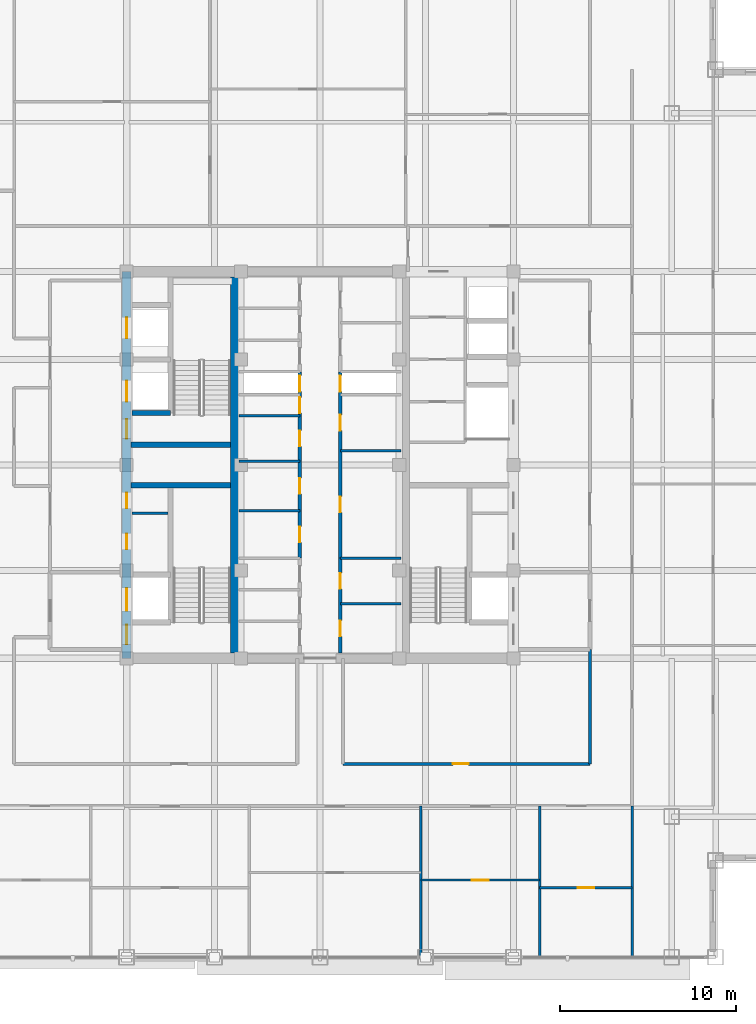
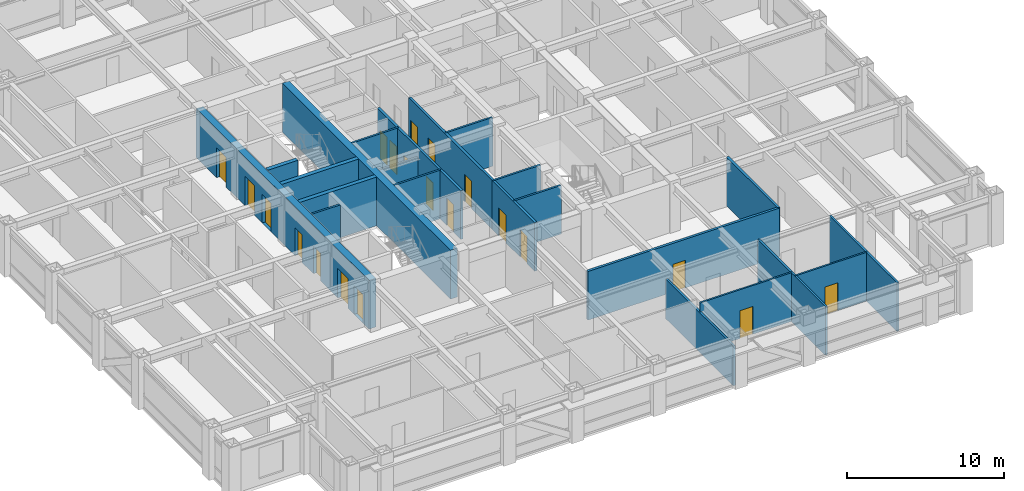
# One storey, part 21 of 29: 22 walls, 20 doors, 20 openings.
"""IFC4 building model written with IfcOpenShell, lengths in metres."""

from ifc_helpers import new_model, si_unit, direction, frame, frame_2d, origin, place, context, subcontext, project, spatial, rectangle, extrude, source, transform, mapped, material, layer, layer_set, type_object, element, fill, save


model = new_model("IFC4")

# Units and contexts
model_context = context("Model", 3, precision=1e-05, world=origin(), true_north=direction((0.0, 1.0)))
body_context = subcontext(model_context, "Body", "Model", "MODEL_VIEW")
ifc_project = project(units=[si_unit("LENGTHUNIT", "METRE"), si_unit("AREAUNIT", "SQUARE_METRE"), si_unit("VOLUMEUNIT", "CUBIC_METRE"), si_unit("PLANEANGLEUNIT", "RADIAN"), si_unit("MASSUNIT", "GRAM", prefix="KILO")], contexts=[model_context])

# Site, building, storey
site_placement = place(None, origin())
site = spatial("IfcSite", under=ifc_project, at=site_placement, CompositionType="ELEMENT")
building_placement = place(site_placement, origin())
building = spatial("IfcBuilding", under=site, at=building_placement, Name="Khorayat Bourse Tower", CompositionType="ELEMENT")
storey_placement = place(building_placement, frame((0.0, 0.0, 277.5)))
storey = spatial("IfcBuildingStorey", under=building, at=storey_placement, Name="L65", CompositionType="ELEMENT", Elevation=277.5)

# Wall, openings, doors
ifc_material_1 = material(Name="Concrete C52/65", Category="concrete")
ifc_layer_1 = layer(ifc_material_1, 0.5)
ifc_layer_set_1 = layer_set([ifc_layer_1], Name="Concrete C52/65")
wall_type_1 = type_object("IfcWallType", Name="WAL-CORE-500", PredefinedType="SHEAR", material=ifc_layer_set_1)
shared_shape_1 = source(origin(), body_context, "Body", "SweptSolid", [
    extrude(rectangle(XDim=22.0, YDim=0.5, at=frame_2d((11.0, 0.0))), origin(), (0.0, 0.0, 1.0), 3.780029296875),
])
wall_1_placement = place(storey_placement, frame((-11.0, -11.0, 0.0), z_axis=(0.0, 0.0, 1.0), x_axis=(0.0, 1.0, 0.0)))
wall_1 = element("IfcWall", 1, at=wall_1_placement, inside=storey, type_object=wall_type_1, Name="L65 Core Shear Wall CORE-W", PredefinedType="SHEAR", context=body_context, shape_type="MappedRepresentation", body=[
    mapped(shared_shape_1, transform((0.0, 0.0, 0.0), scale=1.0)),
])
shared_shape_2 = source(origin(), body_context, "Body", "SweptSolid", [
    extrude(rectangle(XDim=1.10009765625, YDim=2.199951171875, at=frame_2d((0.550048828125, 1.10009765625))), frame((0.0, 0.260009765625, 0.0), z_axis=(0.0, -1.0, 0.0), x_axis=(1.0, 0.0, 0.0)), (0.0, 0.0, 1.0), 0.52001953125),
])
opening_1_placement = place(wall_1_placement, frame((0.800048828125, 0.0, 0.0)))
opening_1 = element("IfcOpeningElement", 2, at=opening_1_placement, cuts=wall_1, Name="Opening DI-01", PredefinedType="OPENING", context=body_context, shape_type="MappedRepresentation", body=[
    mapped(shared_shape_2, transform((0.0, 0.0, 0.0), scale=1.0)),
])
opening_2_placement = place(wall_1_placement, frame((12.5, 0.0, 0.0)))
opening_2 = element("IfcOpeningElement", 3, at=opening_2_placement, cuts=wall_1, Name="Opening DI-01", PredefinedType="OPENING", context=body_context, shape_type="MappedRepresentation", body=[
    mapped(shared_shape_2, transform((0.0, 0.0, 0.0), scale=1.0)),
])
shared_shape_3 = source(origin(), body_context, "Body", "SweptSolid", [
    extrude(rectangle(XDim=0.89990234375, YDim=2.14990234375, at=frame_2d((0.449951171875, 1.074951171875))), frame((0.0, 0.260009765625, 0.0), z_axis=(0.0, -1.0, 0.0), x_axis=(1.0, 0.0, 0.0)), (0.0, 0.0, 1.0), 0.52001953125),
])
opening_3_placement = place(wall_1_placement, frame((6.199951171875, 0.0, 0.0)))
opening_3 = element("IfcOpeningElement", 4, at=opening_3_placement, cuts=wall_1, Name="Opening DI-06", PredefinedType="OPENING", context=body_context, shape_type="MappedRepresentation", body=[
    mapped(shared_shape_3, transform((0.0, 0.0, 0.0), scale=1.0)),
])
opening_4_placement = place(wall_1_placement, frame((8.52490234375, 0.0, 0.0)))
opening_4 = element("IfcOpeningElement", 5, at=opening_4_placement, cuts=wall_1, Name="Opening DI-06", PredefinedType="OPENING", context=body_context, shape_type="MappedRepresentation", body=[
    mapped(shared_shape_3, transform((0.0, 0.0, 0.0), scale=1.0)),
])
shared_shape_4 = source(origin(), body_context, "Body", "SweptSolid", [
    extrude(rectangle(XDim=1.199951171875, YDim=2.300048828125, at=frame_2d((0.60009765625, 1.14990234375))), frame((0.0, 0.260009765625, 0.0), z_axis=(0.0, -1.0, 0.0), x_axis=(1.0, 0.0, 0.0)), (0.0, 0.0, 1.0), 0.52001953125),
])
opening_5_placement = place(wall_1_placement, frame((14.60009765625, 0.0, 0.0)))
opening_5 = element("IfcOpeningElement", 6, at=opening_5_placement, cuts=wall_1, Name="Opening LD-01", PredefinedType="OPENING", context=body_context, shape_type="MappedRepresentation", body=[
    mapped(shared_shape_4, transform((0.0, 0.0, 0.0), scale=1.0)),
])
opening_6_placement = place(wall_1_placement, frame((18.199951171875, 0.0, 0.0)))
opening_6 = element("IfcOpeningElement", 7, at=opening_6_placement, cuts=wall_1, Name="Opening LD-01", PredefinedType="OPENING", context=body_context, shape_type="MappedRepresentation", body=[
    mapped(shared_shape_4, transform((0.0, 0.0, 0.0), scale=1.0)),
])
shared_shape_5 = source(origin(), body_context, "Body", "SweptSolid", [
    extrude(rectangle(XDim=1.300048828125, YDim=2.300048828125, at=frame_2d((0.64990234375, 1.14990234375))), frame((0.0, 0.260009765625, 0.0), z_axis=(0.0, -1.0, 0.0), x_axis=(1.0, 0.0, 0.0)), (0.0, 0.0, 1.0), 0.52001953125),
])
opening_7_placement = place(wall_1_placement, frame((2.699951171875, 0.0, 0.0)))
opening_7 = element("IfcOpeningElement", 8, at=opening_7_placement, cuts=wall_1, Name="Opening LD-02", PredefinedType="OPENING", context=body_context, shape_type="MappedRepresentation", body=[
    mapped(shared_shape_5, transform((0.0, 0.0, 0.0), scale=1.0)),
])
ifc_material_2 = material(Name="Fire-rated steel acoustic leaf", Category="steel")
door_type_1 = type_object("IfcDoorType", Name="DR-INT-STAIR-1100", OperationType="NOTDEFINED", PredefinedType="DOOR", material=ifc_material_2)
shared_shape_6 = source(origin(), body_context, "Body", "SweptSolid", [
    extrude(rectangle(XDim=1.10009765625, YDim=2.199951171875, at=frame_2d((0.550048828125, 1.10009765625))), frame((0.0, 0.02490234375, 0.0), z_axis=(0.0, -1.0, 0.0), x_axis=(1.0, 0.0, 0.0)), (0.0, 0.0, 1.0), 0.050048828125),
])
door_1_placement = place(opening_1_placement, origin())
door_1 = element("IfcDoor", 9, at=door_1_placement, inside=storey, type_object=door_type_1, Name="L65 Exit Stair 1 Door", OperationType="SINGLE_SWING_RIGHT", OverallHeight=2.199951171875, OverallWidth=1.10009765625, PredefinedType="DOOR", context=body_context, shape_type="MappedRepresentation", body=[
    mapped(shared_shape_6, transform((0.0, 0.0, 0.0), scale=1.0)),
])
fill(opening_1, door_1)
door_2_placement = place(opening_2_placement, origin())
door_2 = element("IfcDoor", 10, at=door_2_placement, inside=storey, type_object=door_type_1, Name="L65 Exit Stair 2 Door", OperationType="SINGLE_SWING_RIGHT", OverallHeight=2.199951171875, OverallWidth=1.10009765625, PredefinedType="DOOR", context=body_context, shape_type="MappedRepresentation", body=[
    mapped(shared_shape_6, transform((0.0, 0.0, 0.0), scale=1.0)),
])
fill(opening_2, door_2)
ifc_material_3 = material(Name="Moisture-resistant laminate washroom door")
door_type_2 = type_object("IfcDoorType", Name="DR-INT-WC-900", OperationType="NOTDEFINED", PredefinedType="DOOR", material=ifc_material_3)
shared_shape_7 = source(origin(), body_context, "Body", "SweptSolid", [
    extrude(rectangle(XDim=0.89990234375, YDim=2.14990234375, at=frame_2d((0.449951171875, 1.074951171875))), frame((0.0, 0.02490234375, 0.0), z_axis=(0.0, -1.0, 0.0), x_axis=(1.0, 0.0, 0.0)), (0.0, 0.0, 1.0), 0.050048828125),
])
door_3_placement = place(opening_3_placement, origin())
door_3 = element("IfcDoor", 11, at=door_3_placement, inside=storey, type_object=door_type_2, Name="L65 Switch Closet Door", OperationType="SINGLE_SWING_RIGHT", OverallHeight=2.14990234375, OverallWidth=0.89990234375, PredefinedType="DOOR", context=body_context, shape_type="MappedRepresentation", body=[
    mapped(shared_shape_7, transform((0.0, 0.0, 0.0), scale=1.0)),
])
fill(opening_3, door_3)
door_4_placement = place(opening_4_placement, origin())
door_4 = element("IfcDoor", 12, at=door_4_placement, inside=storey, type_object=door_type_2, Name="L65 Janitor Store Door", OperationType="SINGLE_SWING_LEFT", OverallHeight=2.14990234375, OverallWidth=0.89990234375, PredefinedType="DOOR", context=body_context, shape_type="MappedRepresentation", body=[
    mapped(shared_shape_7, transform((0.0, 0.0, 0.0), scale=1.0)),
])
fill(opening_4, door_4)
ifc_material_4 = material(Name="Brushed bronze stainless-steel sliding door", Category="steel")
door_type_3 = type_object("IfcDoorType", Name="DR-LIFT-PASS-1200", OperationType="NOTDEFINED", PredefinedType="DOOR", material=ifc_material_4)
shared_shape_8 = source(origin(), body_context, "Body", "SweptSolid", [
    extrude(rectangle(XDim=1.199951171875, YDim=2.300048828125, at=frame_2d((0.60009765625, 1.14990234375))), frame((0.0, 0.02490234375, 0.0), z_axis=(0.0, -1.0, 0.0), x_axis=(1.0, 0.0, 0.0)), (0.0, 0.0, 1.0), 0.050048828125),
])
door_5_placement = place(opening_5_placement, origin())
door_5 = element("IfcDoor", 13, at=door_5_placement, inside=storey, type_object=door_type_3, Name="L65 Lift PL-H1 Sliding Landing Door", OperationType="SLIDING_TO_LEFT", OverallHeight=2.300048828125, OverallWidth=1.199951171875, PredefinedType="DOOR", context=body_context, shape_type="MappedRepresentation", body=[
    mapped(shared_shape_8, transform((0.0, 0.0, 0.0), scale=1.0)),
])
fill(opening_5, door_5)
door_6_placement = place(opening_6_placement, origin())
door_6 = element("IfcDoor", 14, at=door_6_placement, inside=storey, type_object=door_type_3, Name="L65 Lift PL-H2 Sliding Landing Door", OperationType="SLIDING_TO_LEFT", OverallHeight=2.300048828125, OverallWidth=1.199951171875, PredefinedType="DOOR", context=body_context, shape_type="MappedRepresentation", body=[
    mapped(shared_shape_8, transform((0.0, 0.0, 0.0), scale=1.0)),
])
fill(opening_6, door_6)
ifc_material_5 = material(Name="Fire-rated stainless-steel sliding landing door", Category="steel")
door_type_4 = type_object("IfcDoorType", Name="DR-LIFT-FF-1300", OperationType="NOTDEFINED", PredefinedType="DOOR", material=ifc_material_5)
shared_shape_9 = source(origin(), body_context, "Body", "SweptSolid", [
    extrude(rectangle(XDim=1.300048828125, YDim=2.300048828125, at=frame_2d((0.64990234375, 1.14990234375))), frame((0.0, 0.02490234375, 0.0), z_axis=(0.0, -1.0, 0.0), x_axis=(1.0, 0.0, 0.0)), (0.0, 0.0, 1.0), 0.050048828125),
])
door_7_placement = place(opening_7_placement, origin())
door_7 = element("IfcDoor", 15, at=door_7_placement, inside=storey, type_object=door_type_4, Name="L65 Lift FFL-01 Sliding Landing Door", OperationType="SLIDING_TO_LEFT", OverallHeight=2.300048828125, OverallWidth=1.300048828125, PredefinedType="DOOR", context=body_context, shape_type="MappedRepresentation", body=[
    mapped(shared_shape_9, transform((0.0, 0.0, 0.0), scale=1.0)),
])
fill(opening_7, door_7)

# Walls
shared_shape_10 = source(origin(), body_context, "Body", "SweptSolid", [
    extrude(rectangle(XDim=21.39990234375, YDim=0.5, at=frame_2d((10.699951171875, 0.0))), origin(), (0.0, 0.0, 1.0), 3.780029296875),
])
wall_2_placement = place(storey_placement, frame((-4.85009765625, -10.699951171875, 0.0), z_axis=(0.0, 0.0, 1.0), x_axis=(0.0, 1.0, 0.0)))
element("IfcWall", 16, at=wall_2_placement, inside=storey, type_object=wall_type_1, Name="L65 Core Shear Wall PIER-W", PredefinedType="SHEAR", context=body_context, shape_type="MappedRepresentation", body=[
    mapped(shared_shape_10, transform((0.0, 0.0, 0.0), scale=1.0)),
])
ifc_material_6 = material(Name="Concrete C50/60", Category="concrete")
ifc_layer_2 = layer(ifc_material_6, 0.300048828125)
ifc_layer_set_2 = layer_set([ifc_layer_2], Name="Concrete C50/60")
wall_type_2 = type_object("IfcWallType", Name="WAL-SHAFT-300", PredefinedType="SHEAR", material=ifc_layer_set_2)
shared_shape_11 = source(origin(), body_context, "Body", "SweptSolid", [
    extrude(rectangle(XDim=5.64990234375, YDim=0.300048828125, at=frame_2d((2.824951171875, 0.0))), origin(), (0.0, 0.0, 1.0), 3.780029296875),
])
for number, where, z_axis, x_axis, name in (
    (17, (-10.75, -1.14990234375, 0.0), (0.0, 0.0, 1.0), (1.0, 0.0, 0.0), "L65 Core Shear Wall ST1-DIV"),
    (18, (-10.75, 1.14990234375, 0.0), (0.0, 0.0, 1.0), (1.0, 0.0, 0.0), "L65 Core Shear Wall ST2-DIV"),
):
    element("IfcWall", number, at=place(storey_placement, frame(where, z_axis=z_axis, x_axis=x_axis)), inside=storey, type_object=wall_type_2, Name=name, PredefinedType="SHEAR", context=body_context, shape_type="MappedRepresentation", body=[
        mapped(shared_shape_11, transform((0.0, 0.0, 0.0), scale=1.0)),
    ])
ifc_material_7 = material(Name="Moisture-resistant masonry partition", Category="masonry")
ifc_layer_3 = layer(ifc_material_7, 0.139892578125)
ifc_layer_set_3 = layer_set([ifc_layer_3], Name="Moisture-resistant masonry partition")
wall_type_3 = type_object("IfcWallType", Name="WAL-PART-WET-140", PredefinedType="PARTITIONING", material=ifc_layer_set_3)
shared_shape_12 = source(origin(), body_context, "Body", "SweptSolid", [
    extrude(rectangle(XDim=3.4501953125, YDim=0.139892578125, at=frame_2d((1.72509765625, 0.0))), origin(), (0.0, 0.0, 1.0), 3.0849609375),
])
wall_3_placement = place(storey_placement, frame((-4.60009765625, 0.199951171875, 0.0), z_axis=(0.0, 0.0, 1.0), x_axis=(1.0, 0.0, 0.0)))
element("IfcWall", 19, at=wall_3_placement, inside=storey, type_object=wall_type_3, Name="L65 Partition WAL-L65-CMW-D2", PredefinedType="PARTITIONING", context=body_context, shape_type="MappedRepresentation", body=[
    mapped(shared_shape_12, transform((0.0, 0.0, 0.0), scale=1.0)),
])
shared_shape_13 = source(origin(), body_context, "Body", "SweptSolid", [
    extrude(rectangle(XDim=2.199951171875, YDim=0.300048828125, at=frame_2d((1.10009765625, 0.0))), origin(), (0.0, 0.0, 1.0), 3.780029296875),
])
wall_4_placement = place(storey_placement, frame((-10.699951171875, 2.949951171875, 0.0), z_axis=(0.0, 0.0, 1.0), x_axis=(1.0, 0.0, 0.0)))
element("IfcWall", 20, at=wall_4_placement, inside=storey, type_object=wall_type_2, Name="L65 Partition WAL-L65-WPIER-H1S", PredefinedType="SHEAR", context=body_context, shape_type="MappedRepresentation", body=[
    mapped(shared_shape_13, transform((0.0, 0.0, 0.0), scale=1.0)),
])
ifc_material_8 = material(Name="Gypsum plasterboard twin-frame partition")
ifc_layer_4 = layer(ifc_material_8, 0.14990234375)
ifc_layer_set_4 = layer_set([ifc_layer_4], Name="Gypsum plasterboard twin-frame partition")
wall_type_4 = type_object("IfcWallType", Name="WAL-PART-SUITE-150", PredefinedType="PARTITIONING", material=ifc_layer_set_4)
shared_shape_14 = source(origin(), body_context, "Body", "SweptSolid", [
    extrude(rectangle(XDim=2.050048828125, YDim=0.14990234375, at=frame_2d((1.02490234375, 0.0))), origin(), (0.0, 0.0, 1.0), 3.780029296875),
])
wall_5_placement = place(storey_placement, frame((-10.699951171875, -2.75, 0.0), z_axis=(0.0, 0.0, 1.0), x_axis=(1.0, 0.0, 0.0)))
element("IfcWall", 21, at=wall_5_placement, inside=storey, type_object=wall_type_4, Name="L65 Partition WAL-L65-WSRV-D1", PredefinedType="PARTITIONING", context=body_context, shape_type="MappedRepresentation", body=[
    mapped(shared_shape_14, transform((0.0, 0.0, 0.0), scale=1.0)),
])
shared_shape_15 = source(origin(), body_context, "Body", "SweptSolid", [
    extrude(rectangle(XDim=3.4501953125, YDim=0.14990234375, at=frame_2d((1.72509765625, 0.0))), origin(), (0.0, 0.0, 1.0), 3.780029296875),
])
wall_6_placement = place(storey_placement, frame((1.14990234375, -5.300048828125, 0.0), z_axis=(0.0, 0.0, 1.0), x_axis=(1.0, 0.0, 0.0)))
element("IfcWall", 22, at=wall_6_placement, inside=storey, type_object=wall_type_4, Name="L65 Partition WAL-L65-FB1-NE", PredefinedType="PARTITIONING", context=body_context, shape_type="MappedRepresentation", body=[
    mapped(shared_shape_15, transform((0.0, 0.0, 0.0), scale=1.0)),
])

# Wall, openings, doors
ifc_material_9 = material(Name="Gypsum plasterboard acoustic stud wall")
ifc_layer_5 = layer(ifc_material_9, 0.179931640625)
ifc_layer_set_5 = layer_set([ifc_layer_5], Name="Gypsum plasterboard acoustic stud wall")
wall_type_5 = type_object("IfcWallType", Name="WAL-PART-CORR-180", PredefinedType="PARTITIONING", material=ifc_layer_set_5)
shared_shape_16 = source(origin(), body_context, "Body", "SweptSolid", [
    extrude(rectangle(XDim=5.39990234375, YDim=0.179931640625, at=frame_2d((2.699951171875, 0.0))), origin(), (0.0, 0.0, 1.0), 3.780029296875),
])
wall_7_placement = place(storey_placement, frame((1.14990234375, -10.699951171875, 0.0), z_axis=(0.0, 0.0, 1.0), x_axis=(0.0, 1.0, 0.0)))
wall_7 = element("IfcWall", 23, at=wall_7_placement, inside=storey, type_object=wall_type_5, Name="L65 Partition WAL-L65-FB1E-L", PredefinedType="PARTITIONING", context=body_context, shape_type="MappedRepresentation", body=[
    mapped(shared_shape_16, transform((0.0, 0.0, 0.0), scale=1.0)),
])
shared_shape_17 = source(origin(), body_context, "Body", "SweptSolid", [
    extrude(rectangle(XDim=0.89990234375, YDim=2.14990234375, at=frame_2d((0.449951171875, 1.074951171875))), frame((0.0, 0.099853515625, 0.0), z_axis=(0.0, -1.0, 0.0), x_axis=(1.0, 0.0, 0.0)), (0.0, 0.0, 1.0), 0.199951171875),
])
opening_8_placement = place(wall_7_placement, frame((0.949951171875, 0.0, 0.0)))
opening_8 = element("IfcOpeningElement", 24, at=opening_8_placement, cuts=wall_7, Name="Opening DI-06", PredefinedType="OPENING", context=body_context, shape_type="MappedRepresentation", body=[
    mapped(shared_shape_17, transform((0.0, 0.0, 0.0), scale=1.0)),
])
opening_9_placement = place(wall_7_placement, frame((3.64990234375, 0.0, 0.0)))
opening_9 = element("IfcOpeningElement", 25, at=opening_9_placement, cuts=wall_7, Name="Opening DI-06", PredefinedType="OPENING", context=body_context, shape_type="MappedRepresentation", body=[
    mapped(shared_shape_17, transform((0.0, 0.0, 0.0), scale=1.0)),
])
door_8_placement = place(opening_8_placement, origin())
door_8 = element("IfcDoor", 26, at=door_8_placement, inside=storey, type_object=door_type_2, Name="L65 UPS Switch Plant Room Door", OperationType="SINGLE_SWING_RIGHT", OverallHeight=2.14990234375, OverallWidth=0.89990234375, PredefinedType="DOOR", context=body_context, shape_type="MappedRepresentation", body=[
    mapped(shared_shape_7, transform((0.0, 0.0, 0.0), scale=1.0)),
])
fill(opening_8, door_8)
door_9_placement = place(opening_9_placement, origin())
door_9 = element("IfcDoor", 27, at=door_9_placement, inside=storey, type_object=door_type_2, Name="L65 Reprographics Store Door", OperationType="SINGLE_SWING_LEFT", OverallHeight=2.14990234375, OverallWidth=0.89990234375, PredefinedType="DOOR", context=body_context, shape_type="MappedRepresentation", body=[
    mapped(shared_shape_7, transform((0.0, 0.0, 0.0), scale=1.0)),
])
fill(opening_9, door_9)

# Walls
shared_shape_18 = source(origin(), body_context, "Body", "SweptSolid", [
    extrude(rectangle(XDim=3.4501953125, YDim=0.139892578125, at=frame_2d((1.72509765625, 0.0))), origin(), (0.0, 0.0, 1.0), 3.780029296875),
])
for number, where, z_axis, x_axis, name in (
    (28, (1.14990234375, -7.89990234375, 0.0), (0.0, 0.0, 1.0), (1.0, 0.0, 0.0), "L65 Partition WAL-L65-FB1E-D1"),
    (29, (-4.60009765625, -2.60009765625, 0.0), (0.0, 0.0, 1.0), (1.0, 0.0, 0.0), "L65 Partition WAL-L65-CMW-D1"),
    (30, (-4.60009765625, 2.800048828125, 0.0), (0.0, 0.0, 1.0), (1.0, 0.0, 0.0), "L65 Partition WAL-L65-CMW-D3"),
    (31, (1.14990234375, 0.800048828125, 0.0), (0.0, 0.0, 1.0), (1.0, 0.0, 0.0), "L65 Partition WAL-L65-CME-D1"),
):
    element("IfcWall", number, at=place(storey_placement, frame(where, z_axis=z_axis, x_axis=x_axis)), inside=storey, type_object=wall_type_3, Name=name, PredefinedType="PARTITIONING", context=body_context, shape_type="MappedRepresentation", body=[
        mapped(shared_shape_18, transform((0.0, 0.0, 0.0), scale=1.0)),
    ])

# Wall, openings, doors
shared_shape_19 = source(origin(), body_context, "Body", "SweptSolid", [
    extrude(rectangle(XDim=10.60009765625, YDim=0.179931640625, at=frame_2d((5.300048828125, 0.0))), origin(), (0.0, 0.0, 1.0), 3.780029296875),
])
wall_8_placement = place(storey_placement, frame((-1.14990234375, -5.300048828125, 0.0), z_axis=(0.0, 0.0, 1.0), x_axis=(0.0, 1.0, 0.0)))
wall_8 = element("IfcWall", 32, at=wall_8_placement, inside=storey, type_object=wall_type_5, Name="L65 Partition WAL-L65-CMW-L", PredefinedType="PARTITIONING", context=body_context, shape_type="MappedRepresentation", body=[
    mapped(shared_shape_19, transform((0.0, 0.0, 0.0), scale=1.0)),
])
opening_10_placement = place(wall_8_placement, frame((0.89990234375, 0.0, 0.0)))
opening_10 = element("IfcOpeningElement", 33, at=opening_10_placement, cuts=wall_8, Name="Opening DI-06", PredefinedType="OPENING", context=body_context, shape_type="MappedRepresentation", body=[
    mapped(shared_shape_17, transform((0.0, 0.0, 0.0), scale=1.0)),
])
opening_11_placement = place(wall_8_placement, frame((3.64990234375, 0.0, 0.0)))
opening_11 = element("IfcOpeningElement", 34, at=opening_11_placement, cuts=wall_8, Name="Opening DI-06", PredefinedType="OPENING", context=body_context, shape_type="MappedRepresentation", body=[
    mapped(shared_shape_17, transform((0.0, 0.0, 0.0), scale=1.0)),
])
opening_12_placement = place(wall_8_placement, frame((6.35009765625, 0.0, 0.0)))
opening_12 = element("IfcOpeningElement", 35, at=opening_12_placement, cuts=wall_8, Name="Opening DI-06", PredefinedType="OPENING", context=body_context, shape_type="MappedRepresentation", body=[
    mapped(shared_shape_17, transform((0.0, 0.0, 0.0), scale=1.0)),
])
opening_13_placement = place(wall_8_placement, frame((8.25, 0.0, 0.0)))
opening_13 = element("IfcOpeningElement", 36, at=opening_13_placement, cuts=wall_8, Name="Opening DI-06", PredefinedType="OPENING", context=body_context, shape_type="MappedRepresentation", body=[
    mapped(shared_shape_17, transform((0.0, 0.0, 0.0), scale=1.0)),
])
opening_14_placement = place(wall_8_placement, frame((9.47509765625, 0.0, 0.0)))
opening_14 = element("IfcOpeningElement", 37, at=opening_14_placement, cuts=wall_8, Name="Opening DI-06", PredefinedType="OPENING", context=body_context, shape_type="MappedRepresentation", body=[
    mapped(shared_shape_17, transform((0.0, 0.0, 0.0), scale=1.0)),
])
door_10_placement = place(opening_10_placement, origin())
door_10 = element("IfcDoor", 38, at=door_10_placement, inside=storey, type_object=door_type_2, Name="L65 Cleaners Store Door", OperationType="SINGLE_SWING_RIGHT", OverallHeight=2.14990234375, OverallWidth=0.89990234375, PredefinedType="DOOR", context=body_context, shape_type="MappedRepresentation", body=[
    mapped(shared_shape_7, transform((0.0, 0.0, 0.0), scale=1.0)),
])
fill(opening_10, door_10)
door_11_placement = place(opening_11_placement, origin())
door_11 = element("IfcDoor", 39, at=door_11_placement, inside=storey, type_object=door_type_2, Name="L65 Male Core Washroom Door", OperationType="SINGLE_SWING_LEFT", OverallHeight=2.14990234375, OverallWidth=0.89990234375, PredefinedType="DOOR", context=body_context, shape_type="MappedRepresentation", body=[
    mapped(shared_shape_7, transform((0.0, 0.0, 0.0), scale=1.0)),
])
fill(opening_11, door_11)
door_12_placement = place(opening_12_placement, origin())
door_12 = element("IfcDoor", 40, at=door_12_placement, inside=storey, type_object=door_type_2, Name="L65 Electrical Closet Door", OperationType="SINGLE_SWING_RIGHT", OverallHeight=2.14990234375, OverallWidth=0.89990234375, PredefinedType="DOOR", context=body_context, shape_type="MappedRepresentation", body=[
    mapped(shared_shape_7, transform((0.0, 0.0, 0.0), scale=1.0)),
])
fill(opening_12, door_12)
door_13_placement = place(opening_13_placement, origin())
door_13 = element("IfcDoor", 41, at=door_13_placement, inside=storey, type_object=door_type_2, Name="L65 Archive Cupboard Door", OperationType="SINGLE_SWING_LEFT", OverallHeight=2.14990234375, OverallWidth=0.89990234375, PredefinedType="DOOR", context=body_context, shape_type="MappedRepresentation", body=[
    mapped(shared_shape_7, transform((0.0, 0.0, 0.0), scale=1.0)),
])
fill(opening_13, door_13)
door_14_placement = place(opening_14_placement, origin())
door_14 = element("IfcDoor", 42, at=door_14_placement, inside=storey, type_object=door_type_2, Name="L65 West Core Riser Door", OperationType="SINGLE_SWING_LEFT", OverallHeight=2.14990234375, OverallWidth=0.89990234375, PredefinedType="DOOR", context=body_context, shape_type="MappedRepresentation", body=[
    mapped(shared_shape_7, transform((0.0, 0.0, 0.0), scale=1.0)),
])
fill(opening_14, door_14)

wall_9_placement = place(storey_placement, frame((1.14990234375, -5.300048828125, 0.0), z_axis=(0.0, 0.0, 1.0), x_axis=(0.0, 1.0, 0.0)))
wall_9 = element("IfcWall", 43, at=wall_9_placement, inside=storey, type_object=wall_type_5, Name="L65 Partition WAL-L65-CME-L", PredefinedType="PARTITIONING", context=body_context, shape_type="MappedRepresentation", body=[
    mapped(shared_shape_19, transform((0.0, 0.0, 0.0), scale=1.0)),
])
opening_15_placement = place(wall_9_placement, frame((2.60009765625, 0.0, 0.0)))
opening_15 = element("IfcOpeningElement", 44, at=opening_15_placement, cuts=wall_9, Name="Opening DI-06", PredefinedType="OPENING", context=body_context, shape_type="MappedRepresentation", body=[
    mapped(shared_shape_17, transform((0.0, 0.0, 0.0), scale=1.0)),
])
opening_16_placement = place(wall_9_placement, frame((7.25, 0.0, 0.0)))
opening_16 = element("IfcOpeningElement", 45, at=opening_16_placement, cuts=wall_9, Name="Opening DI-06", PredefinedType="OPENING", context=body_context, shape_type="MappedRepresentation", body=[
    mapped(shared_shape_17, transform((0.0, 0.0, 0.0), scale=1.0)),
])
opening_17_placement = place(wall_9_placement, frame((9.47509765625, 0.0, 0.0)))
opening_17 = element("IfcOpeningElement", 46, at=opening_17_placement, cuts=wall_9, Name="Opening DI-06", PredefinedType="OPENING", context=body_context, shape_type="MappedRepresentation", body=[
    mapped(shared_shape_17, transform((0.0, 0.0, 0.0), scale=1.0)),
])
door_15_placement = place(opening_15_placement, origin())
door_15 = element("IfcDoor", 47, at=door_15_placement, inside=storey, type_object=door_type_2, Name="L65 Female Core Washroom Door", OperationType="SINGLE_SWING_RIGHT", OverallHeight=2.14990234375, OverallWidth=0.89990234375, PredefinedType="DOOR", context=body_context, shape_type="MappedRepresentation", body=[
    mapped(shared_shape_7, transform((0.0, 0.0, 0.0), scale=1.0)),
])
fill(opening_15, door_15)
door_16_placement = place(opening_16_placement, origin())
door_16 = element("IfcDoor", 48, at=door_16_placement, inside=storey, type_object=door_type_2, Name="L65 Smoke Extract Fan Plant Room Door", OperationType="SINGLE_SWING_LEFT", OverallHeight=2.14990234375, OverallWidth=0.89990234375, PredefinedType="DOOR", context=body_context, shape_type="MappedRepresentation", body=[
    mapped(shared_shape_7, transform((0.0, 0.0, 0.0), scale=1.0)),
])
fill(opening_16, door_16)
door_17_placement = place(opening_17_placement, origin())
door_17 = element("IfcDoor", 49, at=door_17_placement, inside=storey, type_object=door_type_2, Name="L65 East Core Riser Door", OperationType="SINGLE_SWING_RIGHT", OverallHeight=2.14990234375, OverallWidth=0.89990234375, PredefinedType="DOOR", context=body_context, shape_type="MappedRepresentation", body=[
    mapped(shared_shape_7, transform((0.0, 0.0, 0.0), scale=1.0)),
])
fill(opening_17, door_17)

# Wall
shared_shape_20 = source(origin(), body_context, "Body", "SweptSolid", [
    extrude(rectangle(XDim=6.5, YDim=0.179931640625, at=frame_2d((3.25, 0.0))), origin(), (0.0, 0.0, 1.0), 3.780029296875),
])
wall_10_placement = place(storey_placement, frame((15.35009765625, -17.0, 0.0), z_axis=(0.0, 0.0, 1.0), x_axis=(0.0, 1.0, 0.0)))
element("IfcWall", 50, at=wall_10_placement, inside=storey, type_object=wall_type_5, Name="L65 Partition WAL-L65-PKSE-E", PredefinedType="PARTITIONING", context=body_context, shape_type="MappedRepresentation", body=[
    mapped(shared_shape_20, transform((0.0, 0.0, 0.0), scale=1.0)),
])

# Wall, opening, door
shared_shape_21 = source(origin(), body_context, "Body", "SweptSolid", [
    extrude(rectangle(XDim=14.050048828125, YDim=0.179931640625, at=frame_2d((7.02490234375, 0.0))), origin(), (0.0, 0.0, 1.0), 3.780029296875),
])
wall_11_placement = place(storey_placement, frame((1.300048828125, -17.0, 0.0), z_axis=(0.0, 0.0, 1.0), x_axis=(1.0, 0.0, 0.0)))
wall_11 = element("IfcWall", 51, at=wall_11_placement, inside=storey, type_object=wall_type_5, Name="L65 Partition WAL-L65-PKSE-S", PredefinedType="PARTITIONING", context=body_context, shape_type="MappedRepresentation", body=[
    mapped(shared_shape_21, transform((0.0, 0.0, 0.0), scale=1.0)),
])
opening_18_placement = place(wall_11_placement, frame((6.25, 0.0, 0.0)))
opening_18 = element("IfcOpeningElement", 52, at=opening_18_placement, cuts=wall_11, Name="Opening DI-06", PredefinedType="OPENING", context=body_context, shape_type="MappedRepresentation", body=[
    mapped(shared_shape_17, transform((0.0, 0.0, 0.0), scale=1.0)),
])
door_18_placement = place(opening_18_placement, origin())
door_18 = element("IfcDoor", 53, at=door_18_placement, inside=storey, type_object=door_type_2, Name="L65 SE Inboard Study Door", OperationType="SINGLE_SWING_RIGHT", OverallHeight=2.14990234375, OverallWidth=0.89990234375, PredefinedType="DOOR", context=body_context, shape_type="MappedRepresentation", body=[
    mapped(shared_shape_7, transform((0.0, 0.0, 0.0), scale=1.0)),
])
fill(opening_18, door_18)

ifc_material_10 = material(Name="Gypsum plasterboard partition")
ifc_layer_6 = layer(ifc_material_10, 0.125)
ifc_layer_set_6 = layer_set([ifc_layer_6], Name="Gypsum plasterboard partition")
wall_type_6 = type_object("IfcWallType", Name="WAL-PART-ROOM-125", PredefinedType="PARTITIONING", material=ifc_layer_set_6)
shared_shape_22 = source(origin(), body_context, "Body", "SweptSolid", [
    extrude(rectangle(XDim=6.759033203125, YDim=0.125, at=frame_2d((3.37939453125, 0.0))), origin(), (0.0, 0.0, 1.0), 3.780029296875),
])
wall_12_placement = place(storey_placement, frame((5.73388671875, -23.614013671875, 0.0), z_axis=(0.0, 0.0, 1.0), x_axis=(1.0, 0.0, 0.0)))
wall_12 = element("IfcWall", 54, at=wall_12_placement, inside=storey, type_object=wall_type_6, Name="L65 Partition WAL-L65-SDP-4", PredefinedType="PARTITIONING", context=body_context, shape_type="MappedRepresentation", body=[
    mapped(shared_shape_22, transform((0.0, 0.0, 0.0), scale=1.0)),
])
shared_shape_23 = source(origin(), body_context, "Body", "SweptSolid", [
    extrude(rectangle(XDim=0.949951171875, YDim=2.14990234375, at=frame_2d((0.47509765625, 1.074951171875))), frame((0.0, 0.072509765625, 0.0), z_axis=(0.0, -1.0, 0.0), x_axis=(1.0, 0.0, 0.0)), (0.0, 0.0, 1.0), 0.14501953125),
])
opening_19_placement = place(wall_12_placement, frame((2.904541015625, 0.0, 0.0)))
opening_19 = element("IfcOpeningElement", 55, at=opening_19_placement, cuts=wall_12, Name="Opening DI-05", PredefinedType="OPENING", context=body_context, shape_type="MappedRepresentation", body=[
    mapped(shared_shape_23, transform((0.0, 0.0, 0.0), scale=1.0)),
])
ifc_material_11 = material(Name="Acoustic oak veneer office door")
door_type_5 = type_object("IfcDoorType", Name="DR-INT-OFFICE-950", OperationType="NOTDEFINED", PredefinedType="DOOR", material=ifc_material_11)
shared_shape_24 = source(origin(), body_context, "Body", "SweptSolid", [
    extrude(rectangle(XDim=0.949951171875, YDim=2.14990234375, at=frame_2d((0.47509765625, 1.074951171875))), frame((0.0, 0.02490234375, 0.0), z_axis=(0.0, -1.0, 0.0), x_axis=(1.0, 0.0, 0.0)), (0.0, 0.0, 1.0), 0.050048828125),
])
door_19_placement = place(opening_19_placement, origin())
door_19 = element("IfcDoor", 56, at=door_19_placement, inside=storey, type_object=door_type_5, Name="L65 Staff Tea Pantry S4B Door", OperationType="SINGLE_SWING_LEFT", OverallHeight=2.14990234375, OverallWidth=0.949951171875, PredefinedType="DOOR", context=body_context, shape_type="MappedRepresentation", body=[
    mapped(shared_shape_24, transform((0.0, 0.0, 0.0), scale=1.0)),
])
fill(opening_19, door_19)

# Walls
shared_shape_25 = source(origin(), body_context, "Body", "SweptSolid", [
    extrude(rectangle(XDim=8.60009765625, YDim=0.14990234375, at=frame_2d((4.300048828125, 0.0))), origin(), (0.0, 0.0, 1.0), 3.780029296875),
])
for number, where, z_axis, x_axis, name in (
    (57, (12.492919921875, -28.0, 0.0), (0.0, 0.0, 1.0), (0.0, 1.0, 0.0), "L65 Partition WAL-L65-SDV-4"),
    (58, (17.75, -28.0, 0.0), (0.0, 0.0, 1.0), (0.0, 1.0, 0.0), "L65 Partition WAL-L65-SCE-END"),
):
    element("IfcWall", number, at=place(storey_placement, frame(where, z_axis=z_axis, x_axis=x_axis)), inside=storey, type_object=wall_type_4, Name=name, PredefinedType="PARTITIONING", context=body_context, shape_type="MappedRepresentation", body=[
        mapped(shared_shape_25, transform((0.0, 0.0, 0.0), scale=1.0)),
    ])
shared_shape_26 = source(origin(), body_context, "Body", "SweptSolid", [
    extrude(rectangle(XDim=8.60009765625, YDim=0.14990234375, at=frame_2d((4.300048828125, 0.0))), origin(), (0.0, 0.0, 1.0), 3.0849609375),
])
wall_13_placement = place(storey_placement, frame((5.73388671875, -28.0, 0.0), z_axis=(0.0, 0.0, 1.0), x_axis=(0.0, 1.0, 0.0)))
element("IfcWall", 59, at=wall_13_placement, inside=storey, type_object=wall_type_4, Name="L65 Partition WAL-L65-SDV-3", PredefinedType="PARTITIONING", context=body_context, shape_type="MappedRepresentation", body=[
    mapped(shared_shape_26, transform((0.0, 0.0, 0.0), scale=1.0)),
])

# Wall, opening, door
shared_shape_27 = source(origin(), body_context, "Body", "SweptSolid", [
    extrude(rectangle(XDim=5.257080078125, YDim=0.125, at=frame_2d((2.62841796875, 0.0))), origin(), (0.0, 0.0, 1.0), 3.780029296875),
])
wall_14_placement = place(storey_placement, frame((12.492919921875, -24.0439453125, 0.0), z_axis=(0.0, 0.0, 1.0), x_axis=(1.0, 0.0, 0.0)))
wall_14 = element("IfcWall", 60, at=wall_14_placement, inside=storey, type_object=wall_type_6, Name="L65 Partition WAL-L65-SDP-5", PredefinedType="PARTITIONING", context=body_context, shape_type="MappedRepresentation", body=[
    mapped(shared_shape_27, transform((0.0, 0.0, 0.0), scale=1.0)),
])
opening_20_placement = place(wall_14_placement, frame((2.153564453125, 0.0, 0.0)))
opening_20 = element("IfcOpeningElement", 61, at=opening_20_placement, cuts=wall_14, Name="Opening DI-05", PredefinedType="OPENING", context=body_context, shape_type="MappedRepresentation", body=[
    mapped(shared_shape_23, transform((0.0, 0.0, 0.0), scale=1.0)),
])
door_20_placement = place(opening_20_placement, origin())
door_20 = element("IfcDoor", 62, at=door_20_placement, inside=storey, type_object=door_type_5, Name="L65 Executive Boardroom S5B Door", OperationType="SINGLE_SWING_RIGHT", OverallHeight=2.14990234375, OverallWidth=0.949951171875, PredefinedType="DOOR", context=body_context, shape_type="MappedRepresentation", body=[
    mapped(shared_shape_24, transform((0.0, 0.0, 0.0), scale=1.0)),
])
fill(opening_20, door_20)

save(model, "model.ifc")
